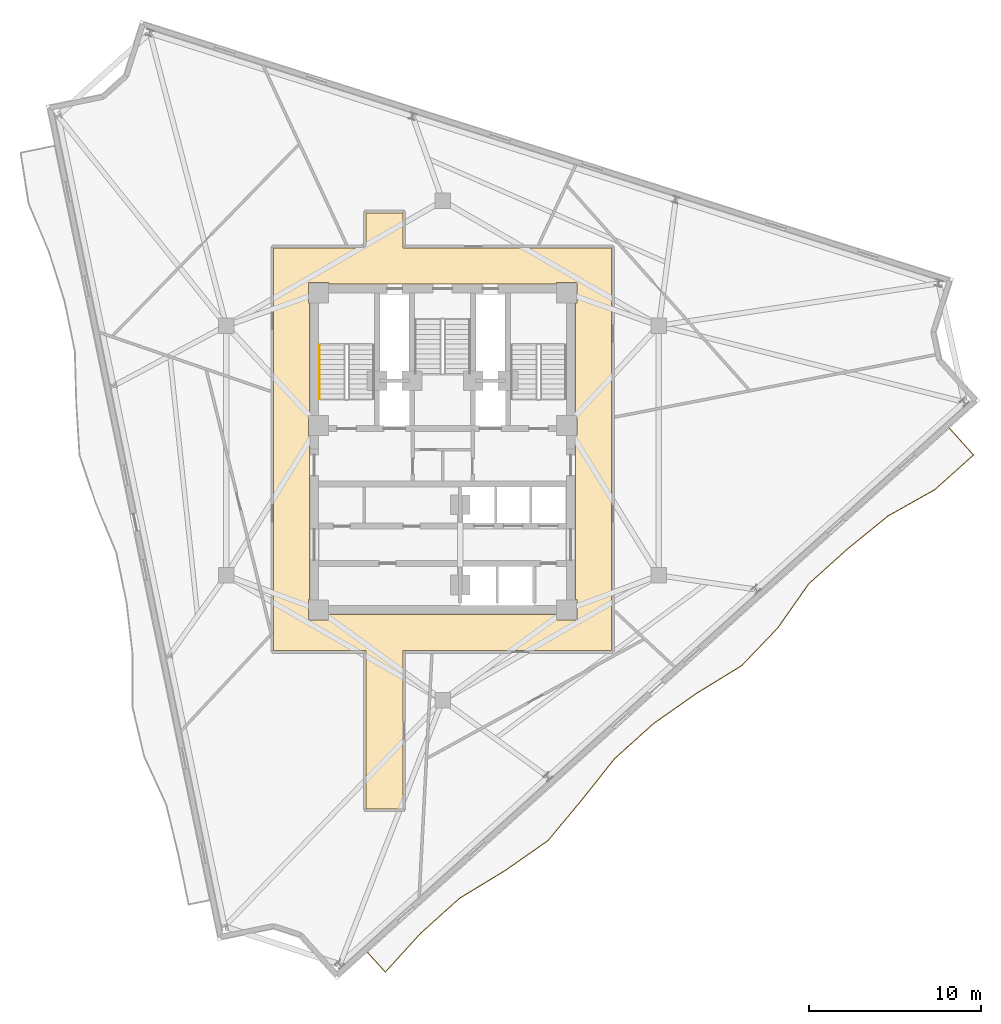
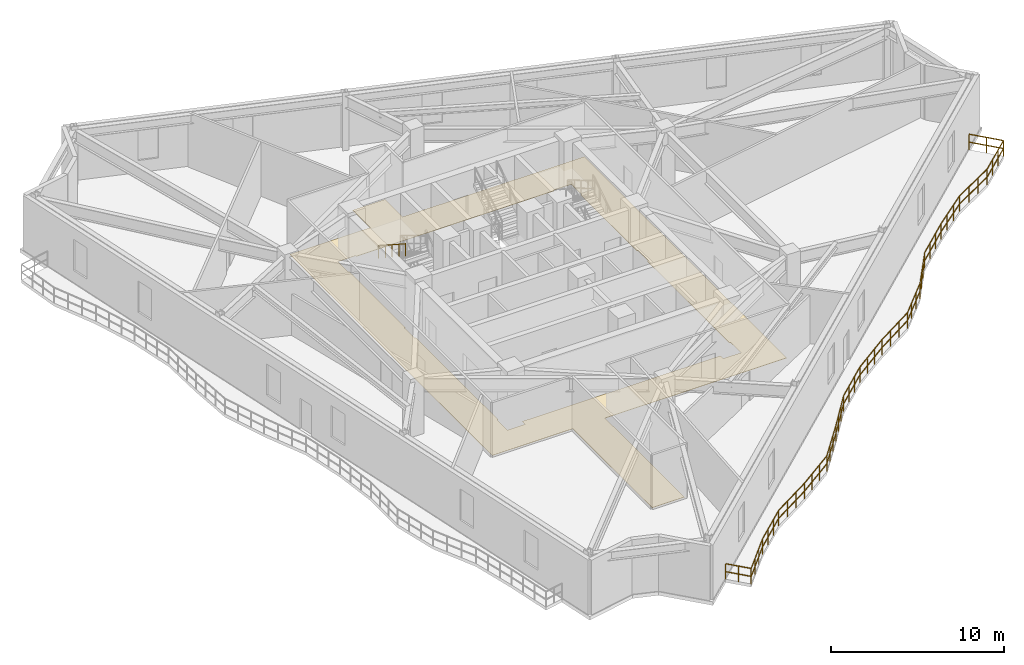
# One storey, part 10 of 11: 2 railings, 1 covering.
"""IFC4 building model written with IfcOpenShell, lengths in metres."""

from ifc_helpers import new_model, si_unit, direction, frame, origin, origin_2d, place, context, subcontext, project, spatial, polyline, rectangle, outline, extrude, material, layer, layer_set, type_object, element, save


model = new_model("IFC4")

# Units and contexts
model_context = context("Model", 3, precision=1e-05, world=origin(), true_north=direction((0.0, 1.0)))
body_context = subcontext(model_context, "Body", "Model", "MODEL_VIEW")
ifc_project = project(units=[si_unit("LENGTHUNIT", "METRE"), si_unit("AREAUNIT", "SQUARE_METRE"), si_unit("VOLUMEUNIT", "CUBIC_METRE"), si_unit("PLANEANGLEUNIT", "RADIAN"), si_unit("MASSUNIT", "GRAM", prefix="KILO")], contexts=[model_context])

# Site, building, storey
site_placement = place(None, origin())
site = spatial("IfcSite", under=ifc_project, at=site_placement, CompositionType="ELEMENT")
building_placement = place(site_placement, origin())
building = spatial("IfcBuilding", under=site, at=building_placement, Name="Apsidion Concourse Tower", CompositionType="ELEMENT")
storey_placement = place(building_placement, frame((0.0, 0.0, 244.5)))
storey = spatial("IfcBuildingStorey", under=building, at=storey_placement, Name="L57", CompositionType="ELEMENT", Elevation=244.5)

# Covering
ifc_material_1 = material(Name="Honed travertine floor finish", Category="masonry")
ifc_layer = layer(ifc_material_1, 0.02001953125)
ifc_layer_set = layer_set([ifc_layer], Name="Honed travertine floor finish")
covering_type = type_object("IfcCoveringType", Name="COV-FLOR-20", PredefinedType="FLOORING", material=ifc_layer_set)
covering_placement = place(storey_placement, origin())
element("IfcCovering", 1, at=covering_placement, inside=storey, type_object=covering_type, Name="L57 Honed Travertine Floor Finish 2", PredefinedType="FLOORING", context=body_context, shape_type="SweptSolid", body=[
    extrude(outline(polyline([(-9.820068359375, -11.6201171875), (-9.820068359375, 11.77001953125), (-4.449951171875, 11.77001953125), (-4.449951171875, 13.800048828125), (-2.300048828125, 13.800048828125), (-2.300048828125, 11.77001953125), (9.820068359375, 11.77001953125), (9.820068359375, -11.6201171875), (-2.300048828125, -11.6201171875), (-2.300048828125, -20.800048828125), (-4.449951171875, -20.800048828125), (-4.449951171875, -11.6201171875), (-9.820068359375, -11.6201171875)]), holes=[polyline([(-2.300048828125, 9.669921875), (-4.449951171875, 9.669921875), (-6.60498046875, 9.669921875), (-6.60498046875, 9.72509765625), (-6.60498046875, 9.72705078125), (-6.60546875, 9.72900390625), (-6.60595703125, 9.730712890625), (-6.6064453125, 9.732666015625), (-6.607421875, 9.734375), (-6.6083984375, 9.736083984375), (-6.609619140625, 9.73779296875), (-6.61083984375, 9.739013671875), (-6.6123046875, 9.740478515625), (-6.614013671875, 9.74169921875), (-6.615478515625, 9.74267578125), (-6.6171875, 9.743408203125), (-6.619140625, 9.744140625), (-6.62109375, 9.74462890625), (-6.623046875, 9.744873046875), (-6.625, 9.7451171875), (-7.77490234375, 9.7451171875), (-7.777099609375, 9.744873046875), (-7.77880859375, 9.74462890625), (-7.78076171875, 9.744140625), (-7.78271484375, 9.743408203125), (-7.784423828125, 9.74267578125), (-7.7861328125, 9.74169921875), (-7.78759765625, 9.740478515625), (-7.7890625, 9.739013671875), (-7.79052734375, 9.73779296875), (-7.79150390625, 9.736083984375), (-7.79248046875, 9.734375), (-7.79345703125, 9.732666015625), (-7.794189453125, 9.730712890625), (-7.794677734375, 9.72900390625), (-7.794921875, 9.72705078125), (-7.794921875, 9.72509765625), (-7.794921875, 8.574951171875), (-7.794921875, 8.572998046875), (-7.794677734375, 8.571044921875), (-7.794189453125, 8.569091796875), (-7.79345703125, 8.5673828125), (-7.79248046875, 8.565673828125), (-7.79150390625, 8.56396484375), (-7.79052734375, 8.562255859375), (-7.7890625, 8.560791015625), (-7.78759765625, 8.5595703125), (-7.7861328125, 8.558349609375), (-7.784423828125, 8.557373046875), (-7.78271484375, 8.556396484375), (-7.78076171875, 8.555908203125), (-7.77880859375, 8.555419921875), (-7.777099609375, 8.55517578125), (-7.77490234375, 8.554931640625), (-7.719970703125, 8.554931640625), (-7.719970703125, 2.044921875), (-7.77490234375, 2.044921875), (-7.777099609375, 2.044921875), (-7.77880859375, 2.044677734375), (-7.78076171875, 2.044189453125), (-7.78271484375, 2.04345703125), (-7.784423828125, 2.04248046875), (-7.7861328125, 2.04150390625), (-7.78759765625, 2.04052734375), (-7.7890625, 2.0390625), (-7.79052734375, 2.03759765625), (-7.79150390625, 2.0361328125), (-7.79248046875, 2.034423828125), (-7.79345703125, 2.03271484375), (-7.794189453125, 2.03076171875), (-7.794677734375, 2.02880859375), (-7.794921875, 2.027099609375), (-7.794921875, 2.02490234375), (-7.794921875, 0.875), (-7.794921875, 0.873046875), (-7.794677734375, 0.87109375), (-7.794189453125, 0.869140625), (-7.79345703125, 0.8671875), (-7.79248046875, 0.865478515625), (-7.79150390625, 0.864013671875), (-7.79052734375, 0.8623046875), (-7.7890625, 0.86083984375), (-7.78759765625, 0.859619140625), (-7.7861328125, 0.8583984375), (-7.784423828125, 0.857421875), (-7.78271484375, 0.8564453125), (-7.78076171875, 0.85595703125), (-7.77880859375, 0.85546875), (-7.777099609375, 0.85498046875), (-7.77490234375, 0.85498046875), (-7.719970703125, 0.85498046875), (-7.719970703125, -8.655029296875), (-7.77490234375, -8.655029296875), (-7.777099609375, -8.655029296875), (-7.77880859375, -8.655517578125), (-7.78076171875, -8.656005859375), (-7.78271484375, -8.656494140625), (-7.784423828125, -8.657470703125), (-7.7861328125, -8.658447265625), (-7.78759765625, -8.659423828125), (-7.7890625, -8.660888671875), (-7.79052734375, -8.662353515625), (-7.79150390625, -8.663818359375), (-7.79248046875, -8.66552734375), (-7.79345703125, -8.667236328125), (-7.794189453125, -8.669189453125), (-7.794677734375, -8.671142578125), (-7.794921875, -8.673095703125), (-7.794921875, -8.675048828125), (-7.794921875, -9.824951171875), (-7.794921875, -9.826904296875), (-7.794677734375, -9.828857421875), (-7.794189453125, -9.830810546875), (-7.79345703125, -9.832763671875), (-7.79248046875, -9.83447265625), (-7.79150390625, -9.836181640625), (-7.79052734375, -9.837646484375), (-7.7890625, -9.839111328125), (-7.78759765625, -9.840576171875), (-7.7861328125, -9.841552734375), (-7.784423828125, -9.842529296875), (-7.78271484375, -9.843505859375), (-7.78076171875, -9.843994140625), (-7.77880859375, -9.844482421875), (-7.777099609375, -9.844970703125), (-7.77490234375, -9.844970703125), (-6.625, -9.844970703125), (-6.623046875, -9.844970703125), (-6.62109375, -9.844482421875), (-6.619140625, -9.843994140625), (-6.6171875, -9.843505859375), (-6.615478515625, -9.842529296875), (-6.614013671875, -9.841552734375), (-6.6123046875, -9.840576171875), (-6.61083984375, -9.839111328125), (-6.609619140625, -9.837646484375), (-6.6083984375, -9.836181640625), (-6.607421875, -9.83447265625), (-6.6064453125, -9.832763671875), (-6.60595703125, -9.830810546875), (-6.60546875, -9.828857421875), (-6.60498046875, -9.826904296875), (-6.60498046875, -9.824951171875), (-6.60498046875, -9.52001953125), (-4.449951171875, -9.52001953125), (-2.300048828125, -9.52001953125), (6.60498046875, -9.52001953125), (6.60498046875, -9.824951171875), (6.60498046875, -9.826904296875), (6.60546875, -9.828857421875), (6.60595703125, -9.830810546875), (6.6064453125, -9.832763671875), (6.607421875, -9.83447265625), (6.6083984375, -9.836181640625), (6.609619140625, -9.837646484375), (6.61083984375, -9.839111328125), (6.6123046875, -9.840576171875), (6.614013671875, -9.841552734375), (6.615478515625, -9.842529296875), (6.6171875, -9.843505859375), (6.619140625, -9.843994140625), (6.62109375, -9.844482421875), (6.623046875, -9.844970703125), (6.625, -9.844970703125), (7.77490234375, -9.844970703125), (7.777099609375, -9.844970703125), (7.77880859375, -9.844482421875), (7.78076171875, -9.843994140625), (7.78271484375, -9.843505859375), (7.784423828125, -9.842529296875), (7.7861328125, -9.841552734375), (7.78759765625, -9.840576171875), (7.7890625, -9.839111328125), (7.79052734375, -9.837646484375), (7.79150390625, -9.836181640625), (7.79248046875, -9.83447265625), (7.79345703125, -9.832763671875), (7.794189453125, -9.830810546875), (7.794677734375, -9.828857421875), (7.794921875, -9.826904296875), (7.794921875, -9.824951171875), (7.794921875, -8.675048828125), (7.794921875, -8.673095703125), (7.794677734375, -8.671142578125), (7.794189453125, -8.669189453125), (7.79345703125, -8.667236328125), (7.79248046875, -8.66552734375), (7.79150390625, -8.663818359375), (7.79052734375, -8.662353515625), (7.7890625, -8.660888671875), (7.78759765625, -8.659423828125), (7.7861328125, -8.658447265625), (7.784423828125, -8.657470703125), (7.78271484375, -8.656494140625), (7.78076171875, -8.656005859375), (7.77880859375, -8.655517578125), (7.777099609375, -8.655029296875), (7.77490234375, -8.655029296875), (7.719970703125, -8.655029296875), (7.719970703125, 0.85498046875), (7.77490234375, 0.85498046875), (7.777099609375, 0.85498046875), (7.77880859375, 0.85546875), (7.78076171875, 0.85595703125), (7.78271484375, 0.8564453125), (7.784423828125, 0.857421875), (7.7861328125, 0.8583984375), (7.78759765625, 0.859619140625), (7.7890625, 0.86083984375), (7.79052734375, 0.8623046875), (7.79150390625, 0.864013671875), (7.79248046875, 0.865478515625), (7.79345703125, 0.8671875), (7.794189453125, 0.869140625), (7.794677734375, 0.87109375), (7.794921875, 0.873046875), (7.794921875, 0.875), (7.794921875, 2.02490234375), (7.794921875, 2.027099609375), (7.794677734375, 2.02880859375), (7.794189453125, 2.03076171875), (7.79345703125, 2.03271484375), (7.79248046875, 2.034423828125), (7.79150390625, 2.0361328125), (7.79052734375, 2.03759765625), (7.7890625, 2.0390625), (7.78759765625, 2.04052734375), (7.7861328125, 2.04150390625), (7.784423828125, 2.04248046875), (7.78271484375, 2.04345703125), (7.78076171875, 2.044189453125), (7.77880859375, 2.044677734375), (7.777099609375, 2.044921875), (7.77490234375, 2.044921875), (7.719970703125, 2.044921875), (7.719970703125, 8.554931640625), (7.77490234375, 8.554931640625), (7.777099609375, 8.55517578125), (7.77880859375, 8.555419921875), (7.78076171875, 8.555908203125), (7.78271484375, 8.556396484375), (7.784423828125, 8.557373046875), (7.7861328125, 8.558349609375), (7.78759765625, 8.5595703125), (7.7890625, 8.560791015625), (7.79052734375, 8.562255859375), (7.79150390625, 8.56396484375), (7.79248046875, 8.565673828125), (7.79345703125, 8.5673828125), (7.794189453125, 8.569091796875), (7.794677734375, 8.571044921875), (7.794921875, 8.572998046875), (7.794921875, 8.574951171875), (7.794921875, 9.72509765625), (7.794921875, 9.72705078125), (7.794677734375, 9.72900390625), (7.794189453125, 9.730712890625), (7.79345703125, 9.732666015625), (7.79248046875, 9.734375), (7.79150390625, 9.736083984375), (7.79052734375, 9.73779296875), (7.7890625, 9.739013671875), (7.78759765625, 9.740478515625), (7.7861328125, 9.74169921875), (7.784423828125, 9.74267578125), (7.78271484375, 9.743408203125), (7.78076171875, 9.744140625), (7.77880859375, 9.74462890625), (7.777099609375, 9.744873046875), (7.77490234375, 9.7451171875), (6.625, 9.7451171875), (6.623046875, 9.744873046875), (6.62109375, 9.74462890625), (6.619140625, 9.744140625), (6.6171875, 9.743408203125), (6.615478515625, 9.74267578125), (6.614013671875, 9.74169921875), (6.6123046875, 9.740478515625), (6.61083984375, 9.739013671875), (6.609619140625, 9.73779296875), (6.6083984375, 9.736083984375), (6.607421875, 9.734375), (6.6064453125, 9.732666015625), (6.60595703125, 9.730712890625), (6.60546875, 9.72900390625), (6.60498046875, 9.72705078125), (6.60498046875, 9.72509765625), (6.60498046875, 9.669921875), (-2.300048828125, 9.669921875)])]), origin(), (0.0, 0.0, 1.0), 0.02001953125),
])

# Railings
ifc_material_2 = material(Name="Brushed stainless steel 316", Category="steel")
railing_type_1 = type_object("IfcRailingType", Name="RL-BAL-1120", PredefinedType="BALUSTRADE", material=ifc_material_2)
railing_1_placement = place(storey_placement, frame((29.43359375, 1.295166015625, 0.0)))
element("IfcRailing", 2, at=railing_1_placement, inside=storey, type_object=railing_type_1, Name="L57 Face 2 Rippling Balcony Balustrade", PredefinedType="BALUSTRADE", context=body_context, shape_type="SweptSolid", body=[
    extrude(rectangle(XDim=0.048095703125, YDim=0.048095703125, at=origin_2d()), frame((0.0, 0.0, 1.09619140625), z_axis=(0.669106479713, -0.743166548498, 0.0), x_axis=(0.743166548498, 0.669106479713, 0.0)), (0.0, 0.0, 1.0), 2.09326171875),
    extrude(rectangle(XDim=0.048095703125, YDim=0.048095703125, at=origin_2d()), frame((0.0, 0.0, 0.5361328125), z_axis=(0.669106479713, -0.743166548498, 0.0), x_axis=(0.743166548498, 0.669106479713, 0.0)), (0.0, 0.0, 1.0), 2.09326171875),
    extrude(rectangle(XDim=0.048095703125, YDim=0.048095703125, at=origin_2d()), frame((1.400634765625, -1.5556640625, 1.09619140625), z_axis=(-0.745384500148, -0.666634792776, 0.0), x_axis=(0.666634792776, -0.745384500148, 0.0)), (0.0, 0.0, 1.0), 3.031982421875),
    extrude(rectangle(XDim=0.048095703125, YDim=0.048095703125, at=origin_2d()), frame((1.400634765625, -1.5556640625, 0.5361328125), z_axis=(-0.745384500148, -0.666634792776, 0.0), x_axis=(0.666634792776, -0.745384500148, 0.0)), (0.0, 0.0, 1.0), 3.031982421875),
    extrude(rectangle(XDim=0.048095703125, YDim=0.048095703125, at=origin_2d()), frame((-0.859375, -3.576904296875, 1.09619140625), z_axis=(-0.871674133208, -0.490085916444, 0.0), x_axis=(0.490085916444, -0.871674133208, 0.0)), (0.0, 0.0, 1.0), 3.107421875),
    extrude(rectangle(XDim=0.048095703125, YDim=0.048095703125, at=origin_2d()), frame((-0.859375, -3.576904296875, 0.5361328125), z_axis=(-0.871674133208, -0.490085916444, 0.0), x_axis=(0.490085916444, -0.871674133208, 0.0)), (0.0, 0.0, 1.0), 3.107421875),
    extrude(rectangle(XDim=0.048095703125, YDim=0.048095703125, at=origin_2d()), frame((-3.568115234375, -5.099853515625, 1.09619140625), z_axis=(-0.775806421721, -0.630970994592, 0.0), x_axis=(0.630970994592, -0.775806421721, 0.0)), (0.0, 0.0, 1.0), 3.035888671875),
    extrude(rectangle(XDim=0.048095703125, YDim=0.048095703125, at=origin_2d()), frame((-3.568115234375, -5.099853515625, 0.5361328125), z_axis=(-0.775806421721, -0.630970994592, 0.0), x_axis=(0.630970994592, -0.775806421721, 0.0)), (0.0, 0.0, 1.0), 3.035888671875),
    extrude(rectangle(XDim=0.048095703125, YDim=0.048095703125, at=origin_2d()), frame((-5.92333984375, -7.015380859375, 1.09619140625), z_axis=(-0.743137975508, -0.669138213942, 0.0), x_axis=(0.669138213942, -0.743137975508, 0.0)), (0.0, 0.0, 1.0), 3.031982421875),
    extrude(rectangle(XDim=0.048095703125, YDim=0.048095703125, at=origin_2d()), frame((-5.92333984375, -7.015380859375, 0.5361328125), z_axis=(-0.743137975508, -0.669138213942, 0.0), x_axis=(0.669138213942, -0.743137975508, 0.0)), (0.0, 0.0, 1.0), 3.031982421875),
    extrude(rectangle(XDim=0.048095703125, YDim=0.048095703125, at=origin_2d()), frame((-8.176513671875, -9.044189453125, 1.09619140625), z_axis=(-0.573978315247, -0.818870498691, 0.0), x_axis=(0.818870498691, -0.573978315247, 0.0)), (0.0, 0.0, 1.0), 3.111328125),
    extrude(rectangle(XDim=0.048095703125, YDim=0.048095703125, at=origin_2d()), frame((-8.176513671875, -9.044189453125, 0.5361328125), z_axis=(-0.573978315247, -0.818870498691, 0.0), x_axis=(0.818870498691, -0.573978315247, 0.0)), (0.0, 0.0, 1.0), 3.111328125),
    extrude(rectangle(XDim=0.048095703125, YDim=0.048095703125, at=origin_2d()), frame((-9.96240234375, -11.592041015625, 1.09619140625), z_axis=(-0.691275514792, -0.722591283264, 0.0), x_axis=(0.722591283264, -0.691275514792, 0.0)), (0.0, 0.0, 1.0), 3.04052734375),
    extrude(rectangle(XDim=0.048095703125, YDim=0.048095703125, at=origin_2d()), frame((-9.96240234375, -11.592041015625, 0.5361328125), z_axis=(-0.691275514792, -0.722591283264, 0.0), x_axis=(0.722591283264, -0.691275514792, 0.0)), (0.0, 0.0, 1.0), 3.04052734375),
    extrude(rectangle(XDim=0.048095703125, YDim=0.048095703125, at=origin_2d()), frame((-12.064208984375, -13.7890625, 1.09619140625), z_axis=(-0.852215205897, -0.523191401725, 0.0), x_axis=(0.523191401725, -0.852215205897, 0.0)), (0.0, 0.0, 1.0), 3.0830078125),
    extrude(rectangle(XDim=0.048095703125, YDim=0.048095703125, at=origin_2d()), frame((-12.064208984375, -13.7890625, 0.5361328125), z_axis=(-0.852215205897, -0.523191401725, 0.0), x_axis=(0.523191401725, -0.852215205897, 0.0)), (0.0, 0.0, 1.0), 3.0830078125),
    extrude(rectangle(XDim=0.048095703125, YDim=0.048095703125, at=origin_2d()), frame((-14.691650390625, -15.402099609375, 1.09619140625), z_axis=(-0.817839862903, -0.575445878121, 0.0), x_axis=(0.575445878121, -0.817839862903, 0.0)), (0.0, 0.0, 1.0), 3.053955078125),
    extrude(rectangle(XDim=0.048095703125, YDim=0.048095703125, at=origin_2d()), frame((-14.691650390625, -15.402099609375, 0.5361328125), z_axis=(-0.817839862903, -0.575445878121, 0.0), x_axis=(0.575445878121, -0.817839862903, 0.0)), (0.0, 0.0, 1.0), 3.053955078125),
    extrude(rectangle(XDim=0.048095703125, YDim=0.048095703125, at=origin_2d()), frame((-17.189208984375, -17.159423828125, 1.09619140625), z_axis=(-0.743137975508, -0.669138213942, 0.0), x_axis=(0.669138213942, -0.743137975508, 0.0)), (0.0, 0.0, 1.0), 3.031982421875),
    extrude(rectangle(XDim=0.048095703125, YDim=0.048095703125, at=origin_2d()), frame((-17.189208984375, -17.159423828125, 0.5361328125), z_axis=(-0.743137975508, -0.669138213942, 0.0), x_axis=(0.669138213942, -0.743137975508, 0.0)), (0.0, 0.0, 1.0), 3.031982421875),
    extrude(rectangle(XDim=0.048095703125, YDim=0.048095703125, at=origin_2d()), frame((-19.4423828125, -19.188232421875, 1.09619140625), z_axis=(-0.621727453096, -0.78323366505, 0.0), x_axis=(0.78323366505, -0.621727453096, 0.0)), (0.0, 0.0, 1.0), 3.07470703125),
    extrude(rectangle(XDim=0.048095703125, YDim=0.048095703125, at=origin_2d()), frame((-19.4423828125, -19.188232421875, 0.5361328125), z_axis=(-0.621727453096, -0.78323366505, 0.0), x_axis=(0.78323366505, -0.621727453096, 0.0)), (0.0, 0.0, 1.0), 3.07470703125),
    extrude(rectangle(XDim=0.048095703125, YDim=0.048095703125, at=origin_2d()), frame((-21.35400390625, -21.596435546875, 1.09619140625), z_axis=(-0.639690436156, -0.768632646907, 0.0), x_axis=(0.768632646907, -0.639690436156, 0.0)), (0.0, 0.0, 1.0), 3.0634765625),
    extrude(rectangle(XDim=0.048095703125, YDim=0.048095703125, at=origin_2d()), frame((-21.35400390625, -21.596435546875, 0.5361328125), z_axis=(-0.639690436156, -0.768632646907, 0.0), x_axis=(0.768632646907, -0.639690436156, 0.0)), (0.0, 0.0, 1.0), 3.0634765625),
    extrude(rectangle(XDim=0.048095703125, YDim=0.048095703125, at=origin_2d()), frame((-23.313720703125, -23.951171875, 1.09619140625), z_axis=(-0.820187987454, -0.572094105228, 0.0), x_axis=(0.572094105228, -0.820187987454, 0.0)), (0.0, 0.0, 1.0), 3.055419921875),
    extrude(rectangle(XDim=0.048095703125, YDim=0.048095703125, at=origin_2d()), frame((-23.313720703125, -23.951171875, 0.5361328125), z_axis=(-0.820187987454, -0.572094105228, 0.0), x_axis=(0.572094105228, -0.820187987454, 0.0)), (0.0, 0.0, 1.0), 3.055419921875),
    extrude(rectangle(XDim=0.048095703125, YDim=0.048095703125, at=origin_2d()), frame((-25.81982421875, -25.69921875, 1.09619140625), z_axis=(-0.854193971576, -0.519954477742, 0.0), x_axis=(0.519954477742, -0.854193971576, 0.0)), (0.0, 0.0, 1.0), 3.08544921875),
    extrude(rectangle(XDim=0.048095703125, YDim=0.048095703125, at=origin_2d()), frame((-25.81982421875, -25.69921875, 0.5361328125), z_axis=(-0.854193971576, -0.519954477742, 0.0), x_axis=(0.519954477742, -0.854193971576, 0.0)), (0.0, 0.0, 1.0), 3.08544921875),
    extrude(rectangle(XDim=0.048095703125, YDim=0.048095703125, at=origin_2d()), frame((-28.455322265625, -27.303466796875, 1.09619140625), z_axis=(-0.743137975508, -0.669138213942, 0.0), x_axis=(0.669138213942, -0.743137975508, 0.0)), (0.0, 0.0, 1.0), 3.031982421875),
    extrude(rectangle(XDim=0.048095703125, YDim=0.048095703125, at=origin_2d()), frame((-28.455322265625, -27.303466796875, 0.5361328125), z_axis=(-0.743137975508, -0.669138213942, 0.0), x_axis=(0.669138213942, -0.743137975508, 0.0)), (0.0, 0.0, 1.0), 3.031982421875),
    extrude(rectangle(XDim=0.048095703125, YDim=0.048095703125, at=origin_2d()), frame((-30.70849609375, -29.332275390625, 1.09619140625), z_axis=(-0.673657331938, -0.73904384114, 0.0), x_axis=(0.73904384114, -0.673657331938, 0.0)), (0.0, 0.0, 1.0), 3.046875),
    extrude(rectangle(XDim=0.048095703125, YDim=0.048095703125, at=origin_2d()), frame((-30.70849609375, -29.332275390625, 0.5361328125), z_axis=(-0.673657331938, -0.73904384114, 0.0), x_axis=(0.73904384114, -0.673657331938, 0.0)), (0.0, 0.0, 1.0), 3.046875),
    extrude(rectangle(XDim=0.048095703125, YDim=0.048095703125, at=origin_2d()), frame((-32.760986328125, -31.583984375, 1.09619140625), z_axis=(-0.669121360966, 0.743153149962, 0.0), x_axis=(-0.743153149962, -0.669121360966, 0.0)), (0.0, 0.0, 1.0), 1.550048828125),
    extrude(rectangle(XDim=0.048095703125, YDim=0.048095703125, at=origin_2d()), frame((-32.760986328125, -31.583984375, 0.5361328125), z_axis=(-0.669121360966, 0.743153149962, 0.0), x_axis=(-0.743153149962, -0.669121360966, 0.0)), (0.0, 0.0, 1.0), 1.550048828125),
    extrude(rectangle(XDim=0.0419921875, YDim=0.0419921875, at=origin_2d()), origin(), (0.0, 0.0, 1.0), 1.072021484375),
    extrude(rectangle(XDim=0.0419921875, YDim=0.0419921875, at=origin_2d()), frame((0.7001953125, -0.77783203125, 0.0)), (0.0, 0.0, 1.0), 1.072021484375),
    extrude(rectangle(XDim=0.0419921875, YDim=0.0419921875, at=origin_2d()), frame((1.400634765625, -1.5556640625, 0.0)), (0.0, 0.0, 1.0), 1.072021484375),
    extrude(rectangle(XDim=0.0419921875, YDim=0.0419921875, at=origin_2d()), frame((0.647216796875, -2.2294921875, 0.0)), (0.0, 0.0, 1.0), 1.072021484375),
    extrude(rectangle(XDim=0.0419921875, YDim=0.0419921875, at=origin_2d()), frame((-0.10595703125, -2.903076171875, 0.0)), (0.0, 0.0, 1.0), 1.072021484375),
    extrude(rectangle(XDim=0.0419921875, YDim=0.0419921875, at=origin_2d()), frame((-0.859375, -3.576904296875, 0.0)), (0.0, 0.0, 1.0), 1.072021484375),
    extrude(rectangle(XDim=0.0419921875, YDim=0.0419921875, at=origin_2d()), frame((-1.76220703125, -4.08447265625, 0.0)), (0.0, 0.0, 1.0), 1.072021484375),
    extrude(rectangle(XDim=0.0419921875, YDim=0.0419921875, at=origin_2d()), frame((-2.665283203125, -4.59228515625, 0.0)), (0.0, 0.0, 1.0), 1.072021484375),
    extrude(rectangle(XDim=0.0419921875, YDim=0.0419921875, at=origin_2d()), frame((-3.568115234375, -5.099853515625, 0.0)), (0.0, 0.0, 1.0), 1.072021484375),
    extrude(rectangle(XDim=0.0419921875, YDim=0.0419921875, at=origin_2d()), frame((-4.353271484375, -5.73828125, 0.0)), (0.0, 0.0, 1.0), 1.072021484375),
    extrude(rectangle(XDim=0.0419921875, YDim=0.0419921875, at=origin_2d()), frame((-5.13818359375, -6.376953125, 0.0)), (0.0, 0.0, 1.0), 1.072021484375),
    extrude(rectangle(XDim=0.0419921875, YDim=0.0419921875, at=origin_2d()), frame((-5.92333984375, -7.015380859375, 0.0)), (0.0, 0.0, 1.0), 1.072021484375),
    extrude(rectangle(XDim=0.0419921875, YDim=0.0419921875, at=origin_2d()), frame((-6.67431640625, -7.691650390625, 0.0)), (0.0, 0.0, 1.0), 1.072021484375),
    extrude(rectangle(XDim=0.0419921875, YDim=0.0419921875, at=origin_2d()), frame((-7.425537109375, -8.367919921875, 0.0)), (0.0, 0.0, 1.0), 1.072021484375),
    extrude(rectangle(XDim=0.0419921875, YDim=0.0419921875, at=origin_2d()), frame((-8.176513671875, -9.044189453125, 0.0)), (0.0, 0.0, 1.0), 1.072021484375),
    extrude(rectangle(XDim=0.0419921875, YDim=0.0419921875, at=origin_2d()), frame((-8.771728515625, -9.8935546875, 0.0)), (0.0, 0.0, 1.0), 1.072021484375),
    extrude(rectangle(XDim=0.0419921875, YDim=0.0419921875, at=origin_2d()), frame((-9.3671875, -10.74267578125, 0.0)), (0.0, 0.0, 1.0), 1.072021484375),
    extrude(rectangle(XDim=0.0419921875, YDim=0.0419921875, at=origin_2d()), frame((-9.96240234375, -11.592041015625, 0.0)), (0.0, 0.0, 1.0), 1.072021484375),
    extrude(rectangle(XDim=0.0419921875, YDim=0.0419921875, at=origin_2d()), frame((-10.6630859375, -12.324462890625, 0.0)), (0.0, 0.0, 1.0), 1.072021484375),
    extrude(rectangle(XDim=0.0419921875, YDim=0.0419921875, at=origin_2d()), frame((-11.363525390625, -13.056640625, 0.0)), (0.0, 0.0, 1.0), 1.072021484375),
    extrude(rectangle(XDim=0.0419921875, YDim=0.0419921875, at=origin_2d()), frame((-12.064208984375, -13.7890625, 0.0)), (0.0, 0.0, 1.0), 1.072021484375),
    extrude(rectangle(XDim=0.0419921875, YDim=0.0419921875, at=origin_2d()), frame((-12.93994140625, -14.32666015625, 0.0)), (0.0, 0.0, 1.0), 1.072021484375),
    extrude(rectangle(XDim=0.0419921875, YDim=0.0419921875, at=origin_2d()), frame((-13.81591796875, -14.864501953125, 0.0)), (0.0, 0.0, 1.0), 1.072021484375),
    extrude(rectangle(XDim=0.0419921875, YDim=0.0419921875, at=origin_2d()), frame((-14.691650390625, -15.402099609375, 0.0)), (0.0, 0.0, 1.0), 1.072021484375),
    extrude(rectangle(XDim=0.0419921875, YDim=0.0419921875, at=origin_2d()), frame((-15.524169921875, -15.98779296875, 0.0)), (0.0, 0.0, 1.0), 1.072021484375),
    extrude(rectangle(XDim=0.0419921875, YDim=0.0419921875, at=origin_2d()), frame((-16.356689453125, -16.57373046875, 0.0)), (0.0, 0.0, 1.0), 1.072021484375),
    extrude(rectangle(XDim=0.0419921875, YDim=0.0419921875, at=origin_2d()), frame((-17.189208984375, -17.159423828125, 0.0)), (0.0, 0.0, 1.0), 1.072021484375),
    extrude(rectangle(XDim=0.0419921875, YDim=0.0419921875, at=origin_2d()), frame((-17.940185546875, -17.835693359375, 0.0)), (0.0, 0.0, 1.0), 1.072021484375),
    extrude(rectangle(XDim=0.0419921875, YDim=0.0419921875, at=origin_2d()), frame((-18.69140625, -18.511962890625, 0.0)), (0.0, 0.0, 1.0), 1.072021484375),
    extrude(rectangle(XDim=0.0419921875, YDim=0.0419921875, at=origin_2d()), frame((-19.4423828125, -19.188232421875, 0.0)), (0.0, 0.0, 1.0), 1.072021484375),
    extrude(rectangle(XDim=0.0419921875, YDim=0.0419921875, at=origin_2d()), frame((-20.07958984375, -19.990966796875, 0.0)), (0.0, 0.0, 1.0), 1.072021484375),
    extrude(rectangle(XDim=0.0419921875, YDim=0.0419921875, at=origin_2d()), frame((-20.716796875, -20.793701171875, 0.0)), (0.0, 0.0, 1.0), 1.072021484375),
    extrude(rectangle(XDim=0.0419921875, YDim=0.0419921875, at=origin_2d()), frame((-21.35400390625, -21.596435546875, 0.0)), (0.0, 0.0, 1.0), 1.072021484375),
    extrude(rectangle(XDim=0.0419921875, YDim=0.0419921875, at=origin_2d()), frame((-22.00732421875, -22.38134765625, 0.0)), (0.0, 0.0, 1.0), 1.072021484375),
    extrude(rectangle(XDim=0.0419921875, YDim=0.0419921875, at=origin_2d()), frame((-22.660400390625, -23.166259765625, 0.0)), (0.0, 0.0, 1.0), 1.072021484375),
    extrude(rectangle(XDim=0.0419921875, YDim=0.0419921875, at=origin_2d()), frame((-23.313720703125, -23.951171875, 0.0)), (0.0, 0.0, 1.0), 1.072021484375),
    extrude(rectangle(XDim=0.0419921875, YDim=0.0419921875, at=origin_2d()), frame((-24.149169921875, -24.533935546875, 0.0)), (0.0, 0.0, 1.0), 1.072021484375),
    extrude(rectangle(XDim=0.0419921875, YDim=0.0419921875, at=origin_2d()), frame((-24.984375, -25.116455078125, 0.0)), (0.0, 0.0, 1.0), 1.072021484375),
    extrude(rectangle(XDim=0.0419921875, YDim=0.0419921875, at=origin_2d()), frame((-25.81982421875, -25.69921875, 0.0)), (0.0, 0.0, 1.0), 1.072021484375),
    extrude(rectangle(XDim=0.0419921875, YDim=0.0419921875, at=origin_2d()), frame((-26.6982421875, -26.23388671875, 0.0)), (0.0, 0.0, 1.0), 1.072021484375),
    extrude(rectangle(XDim=0.0419921875, YDim=0.0419921875, at=origin_2d()), frame((-27.576904296875, -26.768798828125, 0.0)), (0.0, 0.0, 1.0), 1.072021484375),
    extrude(rectangle(XDim=0.0419921875, YDim=0.0419921875, at=origin_2d()), frame((-28.455322265625, -27.303466796875, 0.0)), (0.0, 0.0, 1.0), 1.072021484375),
    extrude(rectangle(XDim=0.0419921875, YDim=0.0419921875, at=origin_2d()), frame((-29.206298828125, -27.979736328125, 0.0)), (0.0, 0.0, 1.0), 1.072021484375),
    extrude(rectangle(XDim=0.0419921875, YDim=0.0419921875, at=origin_2d()), frame((-29.95751953125, -28.656005859375, 0.0)), (0.0, 0.0, 1.0), 1.072021484375),
    extrude(rectangle(XDim=0.0419921875, YDim=0.0419921875, at=origin_2d()), frame((-30.70849609375, -29.332275390625, 0.0)), (0.0, 0.0, 1.0), 1.072021484375),
    extrude(rectangle(XDim=0.0419921875, YDim=0.0419921875, at=origin_2d()), frame((-31.392578125, -30.082763671875, 0.0)), (0.0, 0.0, 1.0), 1.072021484375),
    extrude(rectangle(XDim=0.0419921875, YDim=0.0419921875, at=origin_2d()), frame((-32.076904296875, -30.83349609375, 0.0)), (0.0, 0.0, 1.0), 1.072021484375),
    extrude(rectangle(XDim=0.0419921875, YDim=0.0419921875, at=origin_2d()), frame((-32.760986328125, -31.583984375, 0.0)), (0.0, 0.0, 1.0), 1.072021484375),
    extrude(rectangle(XDim=0.0419921875, YDim=0.0419921875, at=origin_2d()), frame((-33.279541015625, -31.008056640625, 0.0)), (0.0, 0.0, 1.0), 1.072021484375),
    extrude(rectangle(XDim=0.0419921875, YDim=0.0419921875, at=origin_2d()), frame((-33.798095703125, -30.43212890625, 0.0)), (0.0, 0.0, 1.0), 1.072021484375),
])
railing_type_2 = type_object("IfcRailingType", Name="RL-HAND-900", PredefinedType="HANDRAIL", material=ifc_material_2)
railing_2_placement = place(storey_placement, frame((-7.14990234375, 6.135009765625, 2.220947265625)))
element("IfcRailing", 3, at=railing_2_placement, inside=storey, type_object=railing_type_2, Name="L57 ST1 stair handrail 2", PredefinedType="HANDRAIL", context=body_context, shape_type="SweptSolid", body=[
    extrude(rectangle(XDim=0.048095703125, YDim=0.048095703125, at=origin_2d()), frame((0.0, 0.0, 0.8759765625), z_axis=(0.0, -0.836970762213, 0.547247606848), x_axis=(1.0, 0.0, 0.0)), (0.0, 0.0, 1.0), 3.74560546875),
    extrude(rectangle(XDim=0.0419921875, YDim=0.0419921875, at=origin_2d()), origin(), (0.0, 0.0, 1.0), 0.851806640625),
    extrude(rectangle(XDim=0.0419921875, YDim=0.0419921875, at=origin_2d()), frame((0.0, -0.78369140625, 0.512451171875)), (0.0, 0.0, 1.0), 0.851806640625),
    extrude(rectangle(XDim=0.0419921875, YDim=0.0419921875, at=origin_2d()), frame((0.0, -1.5673828125, 1.02490234375)), (0.0, 0.0, 1.0), 0.851806640625),
    extrude(rectangle(XDim=0.0419921875, YDim=0.0419921875, at=origin_2d()), frame((0.0, -2.351318359375, 1.537353515625)), (0.0, 0.0, 1.0), 0.851806640625),
    extrude(rectangle(XDim=0.0419921875, YDim=0.0419921875, at=origin_2d()), frame((0.0, -3.135009765625, 2.0498046875)), (0.0, 0.0, 1.0), 0.851806640625),
])

save(model, "model.ifc")
